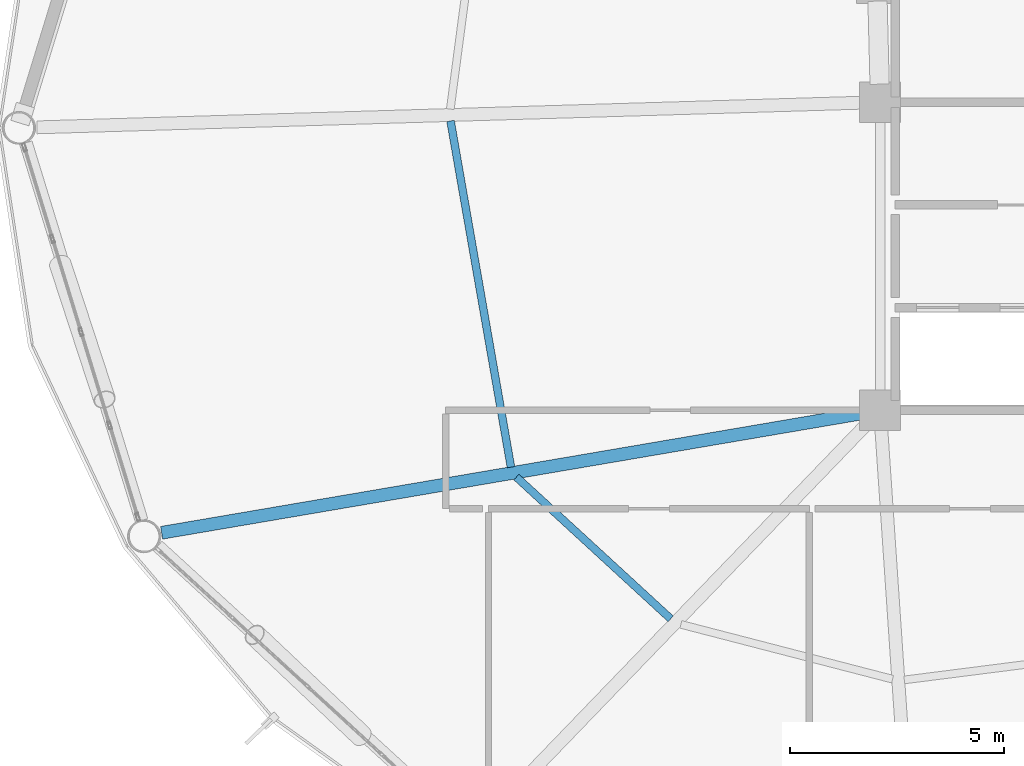
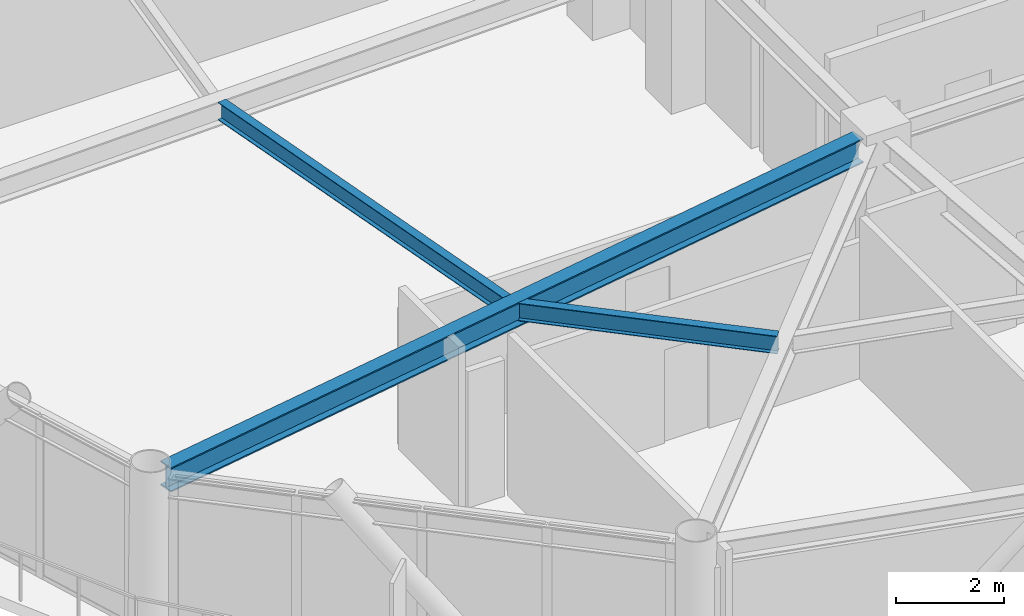
# One storey, part 6 of 26: 3 beams.
"""IFC4 building model written with IfcOpenShell, lengths in metres."""

from ifc_helpers import new_model, si_unit, direction, frame, origin, origin_2d, place, context, subcontext, project, spatial, i_section, extrude, material, material_profile, profile_set, type_object, element, save


model = new_model("IFC4")

# Units and contexts
model_context = context("Model", 3, precision=1e-05, world=origin(), true_north=direction((0.0, 1.0)))
body_context = subcontext(model_context, "Body", "Model", "MODEL_VIEW")
ifc_project = project(units=[si_unit("LENGTHUNIT", "METRE"), si_unit("AREAUNIT", "SQUARE_METRE"), si_unit("VOLUMEUNIT", "CUBIC_METRE"), si_unit("PLANEANGLEUNIT", "RADIAN"), si_unit("MASSUNIT", "GRAM", prefix="KILO")], contexts=[model_context])

# Site, building, storey
site_placement = place(None, origin())
site = spatial("IfcSite", under=ifc_project, at=site_placement, CompositionType="ELEMENT")
building_placement = place(site_placement, origin())
building = spatial("IfcBuilding", under=site, at=building_placement, Name="Varnakorn Sky Granary", CompositionType="ELEMENT")
storey_placement = place(building_placement, frame((0.0, 0.0, 138.300048828125)))
storey = spatial("IfcBuildingStorey", under=building, at=storey_placement, Name="L34", CompositionType="ELEMENT", Elevation=138.300048828125)

# Beams
ifc_material = material(Name="Steel S355JR", Category="steel")
ifc_material_profile_1 = material_profile(ifc_material, i_section(OverallWidth=0.300048828125, OverallDepth=0.550048828125, WebThickness=0.014892578125, FlangeThickness=0.029052734375, at=origin_2d()), Name="HE 550 B")
ifc_profile_set_1 = profile_set([ifc_material_profile_1], Name="Steel S355JR")
beam_type_1 = type_object("IfcBeamType", Name="BM-RAD-Z3", PredefinedType="BEAM", material=ifc_profile_set_1)
beam_1_placement = place(storey_placement, frame((-2.763916015625, -6.670654296875, 3.364990234375), z_axis=(-0.985772860966, -0.168082915799, 0.0), x_axis=(0.168082915799, -0.985772860966, 0.0)))
element("IfcBeam", 1, at=beam_1_placement, inside=storey, type_object=beam_type_1, Name="Radial Floor Girder RG08 L34", PredefinedType="BEAM", context=body_context, shape_type="SweptSolid", body=[
    extrude(i_section(OverallWidth=0.300048828125, OverallDepth=0.550048828125, WebThickness=0.014892578125, FlangeThickness=0.029052734375, at=origin_2d()), origin(), (0.0, 0.0, 1.0), 16.609375),
])
ifc_material_profile_2 = material_profile(ifc_material, i_section(OverallWidth=0.179931640625, OverallDepth=0.39990234375, WebThickness=0.008544921875, FlangeThickness=0.013427734375, at=origin_2d()), Name="IPE 400")
ifc_profile_set_2 = profile_set([ifc_material_profile_2], Name="Steel S355JR")
beam_type_2 = type_object("IfcBeamType", Name="BM-SEC-Z3", PredefinedType="BEAM", material=ifc_profile_set_2)
beam_2_placement = place(storey_placement, frame((-12.386474609375, 0.1611328125, 3.43994140625), z_axis=(0.171924548151, -0.985110120618, 0.0), x_axis=(0.985110120618, 0.171924548151, 0.0)))
element("IfcBeam", 2, at=beam_2_placement, inside=storey, type_object=beam_type_2, Name="Secondary Floor Chord Beam MSB07 L34", PredefinedType="BEAM", context=body_context, shape_type="SweptSolid", body=[
    extrude(i_section(OverallWidth=0.179931640625, OverallDepth=0.39990234375, WebThickness=0.008544921875, FlangeThickness=0.013427734375, at=origin_2d()), origin(), (0.0, 0.0, 1.0), 8.212158203125),
])
beam_3_placement = place(storey_placement, frame((-10.847412109375, -8.161376953125, 3.43994140625), z_axis=(0.736445706961, -0.676496652392, 0.0), x_axis=(0.676496652392, 0.736445706961, 0.0)))
element("IfcBeam", 3, at=beam_3_placement, inside=storey, type_object=beam_type_2, Name="Secondary Floor Chord Beam MSB08 L34", PredefinedType="BEAM", context=body_context, shape_type="SweptSolid", body=[
    extrude(i_section(OverallWidth=0.179931640625, OverallDepth=0.39990234375, WebThickness=0.008544921875, FlangeThickness=0.013427734375, at=origin_2d()), origin(), (0.0, 0.0, 1.0), 4.89501953125),
])

save(model, "model.ifc")
